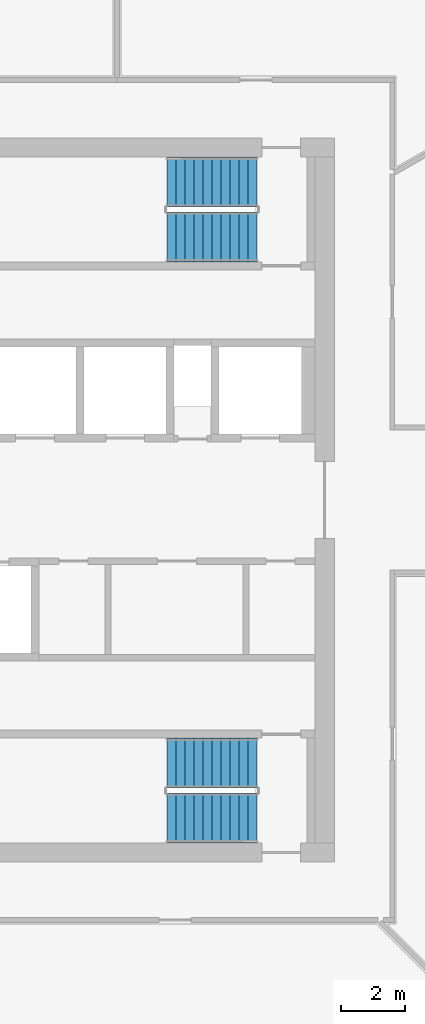
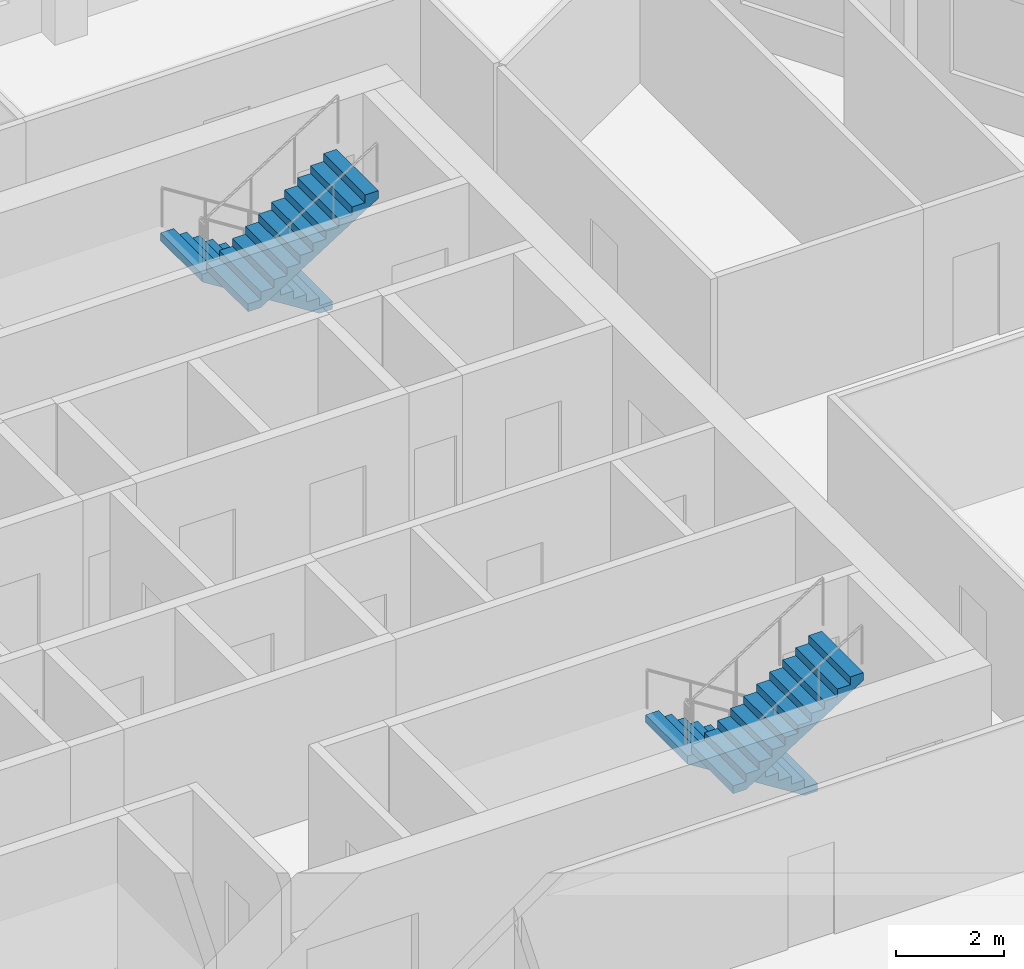
# One storey, part 7 of 11: 4 stair flights, 2 elements without a shape of their own.
"""IFC4 building model written with IfcOpenShell, lengths in metres."""

import ifcopenshell
import ifcopenshell.guid

model = None  # the IFC model being written
_history = None  # IfcOwnerHistory: only IFC2X3 demands one
_inside = {}  # id of a spatial element -> (the spatial element, [elements in it])
_under = {}  # id of a project, library or spatial element -> (it, [spatial elements below it])
_declared = {}  # id of a project -> (the project, [libraries it declares])
_typed = {}  # id of a type object -> (the type object, [elements of that type])
_made_of = {}  # id of a material, layer set ... -> (it, [elements and type objects made of it])


def new_model(schema):
    """Start an empty IFC model of exactly this schema.

    Asked for "IFC4X3", IfcOpenShell would pick the latest addendum, in which some entities
    have other attributes; the version numbers below select the first issue.
    IFC2X3 requires an IfcOwnerHistory on every rooted entity: one is made here for all.
    """
    global model, _history
    if schema == "IFC4X3":
        model = ifcopenshell.file(schema_version=(4, 3, 0, 0))
    else:
        model = ifcopenshell.file(schema=schema)
    _inside.clear()
    _under.clear()
    _declared.clear()
    _typed.clear()
    _made_of.clear()
    _history = None
    if model.schema == "IFC2X3":
        org = make("IfcOrganization", Name="unknown")
        user = make(
            "IfcPersonAndOrganization",
            ThePerson=make("IfcPerson", FamilyName="unknown"),
            TheOrganization=org,
        )
        app = make(
            "IfcApplication",
            ApplicationDeveloper=org,
            Version="unknown",
            ApplicationFullName="unknown",
            ApplicationIdentifier="unknown",
        )
        _history = make(
            "IfcOwnerHistory",
            OwningUser=user,
            OwningApplication=app,
            ChangeAction="ADDED",
            CreationDate=0,
        )
    return model


def make(cls, **values):
    """One entity of the class cls with the attributes given. An attribute that is None is left unset."""
    return model.create_entity(
        cls, **{name: value for name, value in values.items() if value is not None}
    )


def rooted(cls, **values):
    """An entity with a GlobalId (a new one), such as an element, a storey or a relation."""
    return make(cls, GlobalId=ifcopenshell.guid.new(), OwnerHistory=_history, **values)


def si_unit(unit_type, name, prefix=None):
    """IfcSIUnit, for example si_unit("LENGTHUNIT", "METRE", prefix="MILLI")."""
    return make("IfcSIUnit", UnitType=unit_type, Prefix=prefix, Name=name)


def assignment(units):
    """IfcUnitAssignment: the units of a project."""
    return None if units is None else make("IfcUnitAssignment", Units=units)


def point(xyz):
    """IfcCartesianPoint."""
    return None if xyz is None else make("IfcCartesianPoint", Coordinates=xyz)


def direction(xyz):
    """IfcDirection."""
    return None if xyz is None else make("IfcDirection", DirectionRatios=xyz)


def frame(location, z_axis=None, x_axis=None):
    """IfcAxis2Placement3D, a coordinate frame: its origin and axes. An axis left out is left unset."""
    return make(
        "IfcAxis2Placement3D",
        Location=point(location),
        Axis=direction(z_axis),
        RefDirection=direction(x_axis),
    )


def origin():
    """The frame at (0, 0, 0) with its axes left unset."""
    return frame((0.0, 0.0, 0.0))


def place(relative_to, where):
    """IfcLocalPlacement: puts the frame where relative to a parent placement (None: the world)."""
    return make(
        "IfcLocalPlacement", PlacementRelTo=relative_to, RelativePlacement=where
    )


def context(
    kind, dimensions, precision=None, world=None, true_north=None, identifier=None
):
    """IfcGeometricRepresentationContext, for example the 3D "Model" context."""
    return make(
        "IfcGeometricRepresentationContext",
        ContextIdentifier=identifier,
        ContextType=kind,
        CoordinateSpaceDimension=dimensions,
        Precision=precision,
        WorldCoordinateSystem=world,
        TrueNorth=true_north,
    )


def subcontext(parent, identifier, kind, view, scale=None):
    """IfcGeometricRepresentationSubContext, for example "Body" below "Model"."""
    return make(
        "IfcGeometricRepresentationSubContext",
        ContextIdentifier=identifier,
        ContextType=kind,
        ParentContext=parent,
        TargetScale=scale,
        TargetView=view,
    )


def project(units=None, contexts=None):
    """IfcProject with its units and contexts."""
    return rooted(
        "IfcProject",
        Name="project",
        RepresentationContexts=contexts,
        UnitsInContext=assignment(units),
    )


def spatial(cls, under=None, at=None, **own):
    """A site, building, storey or space (cls), placed at a placement, below another one or the project."""
    s = rooted(cls, ObjectPlacement=at, **own)
    if under is not None:
        _under.setdefault(under.id(), (under, []))[1].append(s)
    return s


def polyline(points):
    """IfcPolyline through the points."""
    return make("IfcPolyline", Points=[point(p) for p in points])


def outline(outer, holes=None, kind="AREA"):
    """IfcArbitraryClosedProfileDef: a profile drawn as a closed curve; with holes, ...WithVoids."""
    if holes is None:
        return make("IfcArbitraryClosedProfileDef", ProfileType=kind, OuterCurve=outer)
    return make(
        "IfcArbitraryProfileDefWithVoids",
        ProfileType=kind,
        OuterCurve=outer,
        InnerCurves=holes,
    )


def extrude(swept, where, along, depth):
    """IfcExtrudedAreaSolid: the profile swept, set in the frame where, extruded along a direction by depth."""
    return make(
        "IfcExtrudedAreaSolid",
        SweptArea=swept,
        Position=where,
        ExtrudedDirection=direction(along),
        Depth=depth,
    )


def shape(context_of_items, identifier, shape_type, items):
    """IfcShapeRepresentation: the items that make up one representation, for example the "Body"."""
    return make(
        "IfcShapeRepresentation",
        ContextOfItems=context_of_items,
        RepresentationIdentifier=identifier,
        RepresentationType=shape_type,
        Items=items,
    )


def material(Name=None, Category=None):
    """IfcMaterial."""
    return make("IfcMaterial", Name=Name, Category=Category)


def made_of(thing, what):
    """Note that an element or type object is made of a material, layer set ...; save() writes the relation."""
    if what is not None:
        _made_of.setdefault(what.id(), (what, []))[1].append(thing)
    return thing


def type_object(cls, material=None, **own):
    """A type object (cls), such as IfcWallType, which elements share."""
    return made_of(rooted(cls, **own), material)


def element(
    cls,
    number,
    at=None,
    inside=None,
    cuts=None,
    type_object=None,
    material=None,
    context=None,
    identifier="Body",
    shape_type=None,
    held_by="IfcProductDefinitionShape",
    body=None,
    shapes=None,
    **own,
):
    """One element of the class cls, such as IfcWall. Its Tag is "e" and its number.

    at: its placement. inside: the storey or other place that contains it. cuts: it is an
    opening in that element (IfcRelVoidsElement). A single representation is given by context,
    identifier, shape_type and body (its items); several are given by shapes. held_by: the class
    of the entity that holds the representations. save() writes the other relations.
    """
    e = rooted(cls, Tag="e%d" % number, ObjectPlacement=at, **own)
    if body is not None:
        shapes = [shape(context, identifier, shape_type, body)]
    if shapes is not None:
        e.Representation = make(held_by, Representations=shapes)
    if inside is not None:
        _inside.setdefault(inside.id(), (inside, []))[1].append(e)
    if cuts is not None:
        rooted(
            "IfcRelVoidsElement", RelatingBuildingElement=cuts, RelatedOpeningElement=e
        )
    if type_object is not None:
        _typed.setdefault(type_object.id(), (type_object, []))[1].append(e)
    return made_of(e, material)


def aggregate(whole, parts):
    """IfcRelAggregates: a whole, such as a stair, and the parts it consists of."""
    return rooted("IfcRelAggregates", RelatingObject=whole, RelatedObjects=parts)


def save(model, path):
    """Write the relations noted so far, then the file.

    IfcRelAggregates (storeys below a building ...), IfcRelContainedInSpatialStructure (elements
    in a storey), IfcRelDefinesByType, IfcRelAssociatesMaterial and IfcRelDeclares: one each for
    every whole, place, type object, material and project.
    """
    for whole, parts in _under.values():
        aggregate(whole, parts)
    for where, things in _inside.values():
        rooted(
            "IfcRelContainedInSpatialStructure",
            RelatedElements=things,
            RelatingStructure=where,
        )
    for kind, things in _typed.values():
        rooted("IfcRelDefinesByType", RelatedObjects=things, RelatingType=kind)
    for what, things in _made_of.values():
        rooted("IfcRelAssociatesMaterial", RelatedObjects=things, RelatingMaterial=what)
    for by, libraries in _declared.values():
        rooted("IfcRelDeclares", RelatingContext=by, RelatedDefinitions=libraries)
    model.write(path)


model = new_model("IFC4")

# Units and contexts
model_context = context("Model", 3, precision=1e-05, world=origin(), true_north=direction((0.0, 1.0)))
body_context = subcontext(model_context, "Body", "Model", "MODEL_VIEW")
ifc_project = project(units=[si_unit("LENGTHUNIT", "METRE"), si_unit("AREAUNIT", "SQUARE_METRE"), si_unit("VOLUMEUNIT", "CUBIC_METRE"), si_unit("PLANEANGLEUNIT", "RADIAN"), si_unit("MASSUNIT", "GRAM", prefix="KILO")], contexts=[model_context])

# Site, building, storey
site_placement = place(None, origin())
site = spatial("IfcSite", under=ifc_project, at=site_placement, CompositionType="ELEMENT")
building_placement = place(site_placement, origin())
building = spatial("IfcBuilding", under=site, at=building_placement, Name="Dhurran Vertical Campus", CompositionType="ELEMENT")
storey_placement = place(building_placement, frame((0.0, 0.0, 278.10009765625)))
storey = spatial("IfcBuildingStorey", under=building, at=storey_placement, Name="L69", CompositionType="ELEMENT", Elevation=278.10009765625)

# Stair, stair flights
ifc_material_1 = material(Name="Concrete C40/50", Category="concrete")
stair_type = type_object("IfcStairType", Name="co-ST-CORE", PredefinedType="HALF_TURN_STAIR", material=ifc_material_1)
stair_1_placement = place(storey_placement, origin())
stair_1 = element("IfcStair", 1, at=stair_1_placement, inside=storey, type_object=stair_type, Name="L69 Protected exit stair ST2", PredefinedType="HALF_TURN_STAIR")
ifc_material_2 = material(Name="Concrete C40/50", Category="concrete")
stair_flight_type = type_object("IfcStairFlightType", Name="co-SFL-RC", PredefinedType="STRAIGHT", material=ifc_material_2)
stair_flight_1_placement = place(storey_placement, frame((11.10009765625, 9.875, 0.0), z_axis=(0.0, 0.0, 1.0), x_axis=(-1.0, 0.0, 0.0)))
stair_flight_1 = element("IfcStairFlight", 2, at=stair_flight_1_placement, type_object=stair_flight_type, Name="ST2 flight 1", NumberOfRisers=11, NumberOfTreads=10, PredefinedType="STRAIGHT", RiserHeight=0.177272727, TreadLength=0.28, context=body_context, shape_type="SweptSolid", body=[
    extrude(outline(polyline([(0.0, 0.0), (0.0, 0.17724609375), (0.280029296875, 0.17724609375), (0.280029296875, 0.3544921875), (0.56005859375, 0.3544921875), (0.56005859375, 0.53173828125), (0.840087890625, 0.53173828125), (0.840087890625, 0.708984375), (1.1201171875, 0.708984375), (1.1201171875, 0.886474609375), (1.39990234375, 0.886474609375), (1.39990234375, 1.063720703125), (1.679931640625, 1.063720703125), (1.679931640625, 1.240966796875), (1.9599609375, 1.240966796875), (1.9599609375, 1.418212890625), (2.239990234375, 1.418212890625), (2.239990234375, 1.595458984375), (2.52001953125, 1.595458984375), (2.52001953125, 1.772705078125), (2.800048828125, 1.772705078125), (2.800048828125, 1.949951171875), (2.800048828125, 1.59521484375), (0.2802734375, 0.0), (0.0, 0.0)])), frame((0.0, 0.77490234375, 0.0), z_axis=(0.0, -1.0, 0.0), x_axis=(1.0, 0.0, 0.0)), (0.0, 0.0, 1.0), 1.550048828125),
])
stair_flight_2_placement = place(storey_placement, frame((8.300048828125, 8.175048828125, 1.949951171875), z_axis=(0.0, 0.0, 1.0), x_axis=(1.0, 0.0, 0.0)))
stair_flight_2 = element("IfcStairFlight", 3, at=stair_flight_2_placement, type_object=stair_flight_type, Name="ST2 flight 2", NumberOfRisers=11, NumberOfTreads=10, PredefinedType="STRAIGHT", RiserHeight=0.177272727, TreadLength=0.28, context=body_context, shape_type="SweptSolid", body=[
    extrude(outline(polyline([(0.0, 0.0), (0.0, 0.17724609375), (0.280029296875, 0.17724609375), (0.280029296875, 0.3544921875), (0.56005859375, 0.3544921875), (0.56005859375, 0.53173828125), (0.840087890625, 0.53173828125), (0.840087890625, 0.708984375), (1.1201171875, 0.708984375), (1.1201171875, 0.886474609375), (1.39990234375, 0.886474609375), (1.39990234375, 1.063720703125), (1.679931640625, 1.063720703125), (1.679931640625, 1.240966796875), (1.9599609375, 1.240966796875), (1.9599609375, 1.418212890625), (2.239990234375, 1.418212890625), (2.239990234375, 1.595458984375), (2.52001953125, 1.595458984375), (2.52001953125, 1.772705078125), (2.800048828125, 1.772705078125), (2.800048828125, 1.949951171875), (2.800048828125, 1.59521484375), (0.2802734375, 0.0), (0.0, 0.0)])), frame((0.0, 0.77490234375, 0.0), z_axis=(0.0, -1.0, 0.0), x_axis=(1.0, 0.0, 0.0)), (0.0, 0.0, 1.0), 1.550048828125),
])
aggregate(stair_1, [stair_flight_1, stair_flight_2])

stair_2_placement = place(storey_placement, origin())
stair_2 = element("IfcStair", 4, at=stair_2_placement, inside=storey, type_object=stair_type, Name="L69 Protected exit stair ST4", PredefinedType="HALF_TURN_STAIR")
stair_flight_3_placement = place(storey_placement, frame((11.10009765625, -8.175048828125, 0.0), z_axis=(0.0, 0.0, 1.0), x_axis=(-1.0, 0.0, 0.0)))
stair_flight_3 = element("IfcStairFlight", 5, at=stair_flight_3_placement, type_object=stair_flight_type, Name="ST4 flight 1", NumberOfRisers=11, NumberOfTreads=10, PredefinedType="STRAIGHT", RiserHeight=0.177272727, TreadLength=0.28, context=body_context, shape_type="SweptSolid", body=[
    extrude(outline(polyline([(0.0, 0.0), (0.0, 0.17724609375), (0.280029296875, 0.17724609375), (0.280029296875, 0.3544921875), (0.56005859375, 0.3544921875), (0.56005859375, 0.53173828125), (0.840087890625, 0.53173828125), (0.840087890625, 0.708984375), (1.1201171875, 0.708984375), (1.1201171875, 0.886474609375), (1.39990234375, 0.886474609375), (1.39990234375, 1.063720703125), (1.679931640625, 1.063720703125), (1.679931640625, 1.240966796875), (1.9599609375, 1.240966796875), (1.9599609375, 1.418212890625), (2.239990234375, 1.418212890625), (2.239990234375, 1.595458984375), (2.52001953125, 1.595458984375), (2.52001953125, 1.772705078125), (2.800048828125, 1.772705078125), (2.800048828125, 1.949951171875), (2.800048828125, 1.59521484375), (0.2802734375, 0.0), (0.0, 0.0)])), frame((0.0, 0.77490234375, 0.0), z_axis=(0.0, -1.0, 0.0), x_axis=(1.0, 0.0, 0.0)), (0.0, 0.0, 1.0), 1.550048828125),
])
stair_flight_4_placement = place(storey_placement, frame((8.300048828125, -9.875, 1.949951171875), z_axis=(0.0, 0.0, 1.0), x_axis=(1.0, 0.0, 0.0)))
stair_flight_4 = element("IfcStairFlight", 6, at=stair_flight_4_placement, type_object=stair_flight_type, Name="ST4 flight 2", NumberOfRisers=11, NumberOfTreads=10, PredefinedType="STRAIGHT", RiserHeight=0.177272727, TreadLength=0.28, context=body_context, shape_type="SweptSolid", body=[
    extrude(outline(polyline([(0.0, 0.0), (0.0, 0.17724609375), (0.280029296875, 0.17724609375), (0.280029296875, 0.3544921875), (0.56005859375, 0.3544921875), (0.56005859375, 0.53173828125), (0.840087890625, 0.53173828125), (0.840087890625, 0.708984375), (1.1201171875, 0.708984375), (1.1201171875, 0.886474609375), (1.39990234375, 0.886474609375), (1.39990234375, 1.063720703125), (1.679931640625, 1.063720703125), (1.679931640625, 1.240966796875), (1.9599609375, 1.240966796875), (1.9599609375, 1.418212890625), (2.239990234375, 1.418212890625), (2.239990234375, 1.595458984375), (2.52001953125, 1.595458984375), (2.52001953125, 1.772705078125), (2.800048828125, 1.772705078125), (2.800048828125, 1.949951171875), (2.800048828125, 1.59521484375), (0.2802734375, 0.0), (0.0, 0.0)])), frame((0.0, 0.77490234375, 0.0), z_axis=(0.0, -1.0, 0.0), x_axis=(1.0, 0.0, 0.0)), (0.0, 0.0, 1.0), 1.550048828125),
])
aggregate(stair_2, [stair_flight_3, stair_flight_4])

save(model, "model.ifc")
